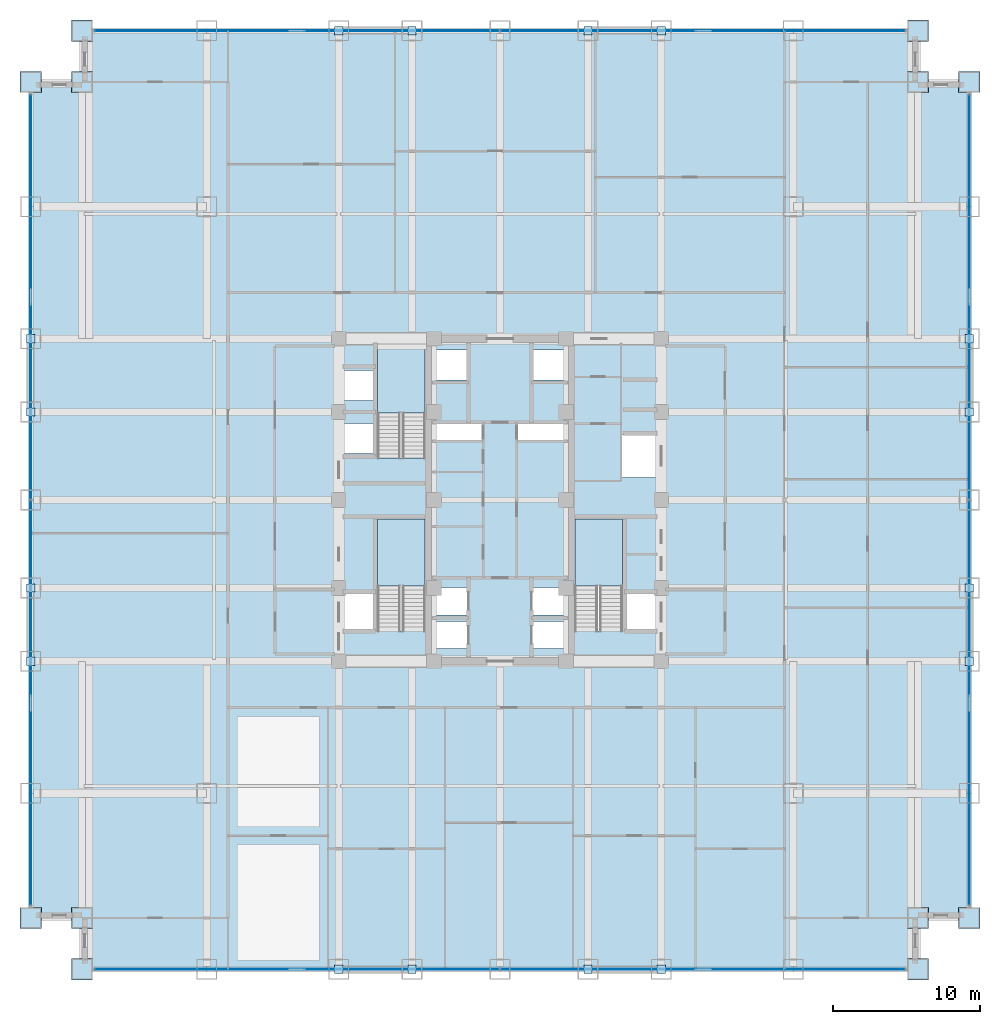
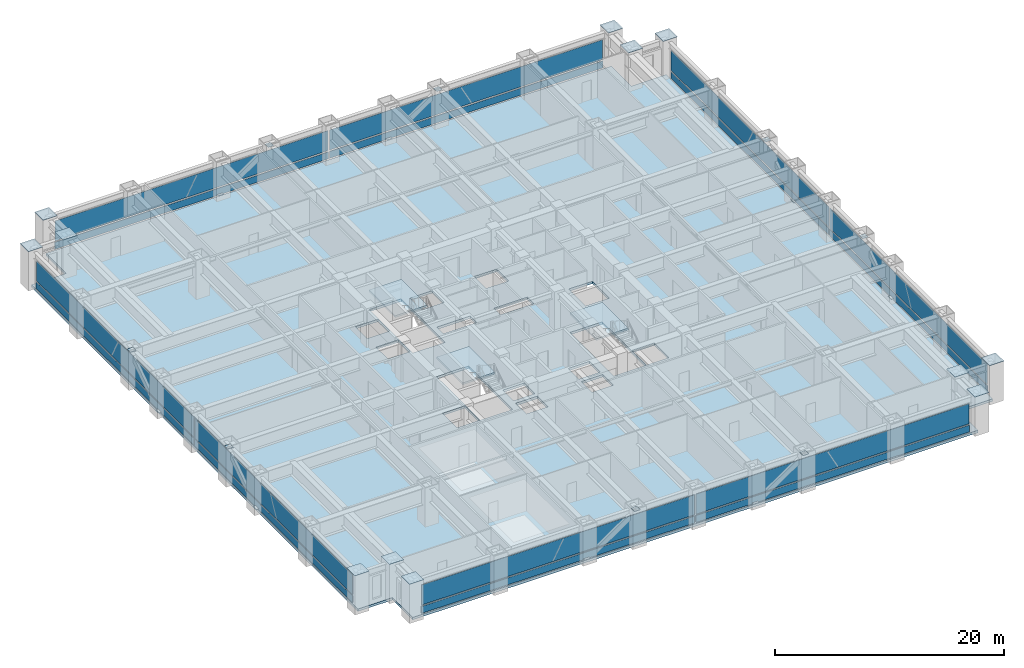
# One storey, part 22 of 29: 44 plates, 4 slabs, 7 elements without a shape of their own.
"""IFC4 building model written with IfcOpenShell, lengths in metres."""

from ifc_helpers import new_model, si_unit, direction, frame, origin, origin_2d, place, context, subcontext, project, spatial, polyline, rectangle, outline, extrude, source, transform, mapped, material, layer, layer_set, type_object, element, aggregate, save


model = new_model("IFC4")

# Units and contexts
model_context = context("Model", 3, precision=1e-05, world=origin(), true_north=direction((0.0, 1.0)))
body_context = subcontext(model_context, "Body", "Model", "MODEL_VIEW")
ifc_project = project(units=[si_unit("LENGTHUNIT", "METRE"), si_unit("AREAUNIT", "SQUARE_METRE"), si_unit("VOLUMEUNIT", "CUBIC_METRE"), si_unit("PLANEANGLEUNIT", "RADIAN"), si_unit("MASSUNIT", "GRAM", prefix="KILO")], contexts=[model_context])

# Site, building, storey
site_placement = place(None, origin())
site = spatial("IfcSite", under=ifc_project, at=site_placement, CompositionType="ELEMENT")
building_placement = place(site_placement, origin())
building = spatial("IfcBuilding", under=site, at=building_placement, Name="Khorayat Bourse Tower", CompositionType="ELEMENT")
storey_placement = place(building_placement, frame((0.0, 0.0, 87.199951171875)))
storey = spatial("IfcBuildingStorey", under=building, at=storey_placement, Name="L19", CompositionType="ELEMENT", Elevation=87.199951171875)

# Stair, slab
ifc_material_1 = material(Name="Concrete C40/50", Category="concrete")
stair_type = type_object("IfcStairType", Name="STR-CORE-1550", PredefinedType="HALF_TURN_STAIR", material=ifc_material_1)
stair_1_placement = place(storey_placement, origin())
stair_1 = element("IfcStair", 1, at=stair_1_placement, inside=storey, type_object=stair_type, Name="L19 Exit Stair ST-1", PredefinedType="HALF_TURN_STAIR")
ifc_layer_1 = layer(ifc_material_1, 0.199951171875)
ifc_layer_set_1 = layer_set([ifc_layer_1], Name="Concrete C40/50")
slab_type_1 = type_object("IfcSlabType", Name="SLB-LANDING-200", PredefinedType="LANDING", material=ifc_layer_set_1)
slab_1_placement = place(storey_placement, frame((0.0, 0.0, 1.900146484375)))
slab_1 = element("IfcSlab", 2, at=slab_1_placement, type_object=slab_type_1, Name="ST-1 landing 1", PredefinedType="LANDING", context=body_context, shape_type="SweptSolid", body=[
    extrude(outline(polyline([(-5.10009765625, -5.8701171875), (-5.10009765625, -1.300048828125), (-8.35009765625, -1.300048828125), (-8.35009765625, -5.8701171875), (-5.10009765625, -5.8701171875)])), origin(), (0.0, 0.0, 1.0), 0.199951171875),
])
aggregate(stair_1, [slab_1])

stair_2_placement = place(storey_placement, origin())
stair_2 = element("IfcStair", 3, at=stair_2_placement, inside=storey, type_object=stair_type, Name="L19 Exit Stair ST-2", PredefinedType="HALF_TURN_STAIR")
slab_2_placement = place(storey_placement, frame((0.0, 0.0, 1.900146484375)))
slab_2 = element("IfcSlab", 4, at=slab_2_placement, type_object=slab_type_1, Name="ST-2 landing 1", PredefinedType="LANDING", context=body_context, shape_type="SweptSolid", body=[
    extrude(outline(polyline([(-5.10009765625, 5.929931640625), (-5.10009765625, 10.5), (-8.35009765625, 10.5), (-8.35009765625, 5.929931640625), (-5.10009765625, 5.929931640625)])), origin(), (0.0, 0.0, 1.0), 0.199951171875),
])
aggregate(stair_2, [slab_2])

stair_3_placement = place(storey_placement, origin())
stair_3 = element("IfcStair", 5, at=stair_3_placement, inside=storey, type_object=stair_type, Name="L19 Exit Stair ST-3", PredefinedType="HALF_TURN_STAIR")
slab_3_placement = place(storey_placement, frame((0.0, 0.0, 1.900146484375)))
slab_3 = element("IfcSlab", 6, at=slab_3_placement, type_object=slab_type_1, Name="ST-3 landing 1", PredefinedType="LANDING", context=body_context, shape_type="SweptSolid", body=[
    extrude(outline(polyline([(8.35009765625, -5.8701171875), (8.35009765625, -1.300048828125), (5.10009765625, -1.300048828125), (5.10009765625, -5.8701171875), (8.35009765625, -5.8701171875)])), origin(), (0.0, 0.0, 1.0), 0.199951171875),
])
aggregate(stair_3, [slab_3])

# Slab
ifc_layer_2 = layer(ifc_material_1, 0.260009765625)
ifc_layer_set_2 = layer_set([ifc_layer_2], Name="Concrete C40/50")
slab_type_2 = type_object("IfcSlabType", Name="SLB-TRADE-260", PredefinedType="FLOOR", material=ifc_layer_set_2)
slab_4_placement = place(storey_placement, frame((0.0, 0.0, -0.260009765625)))
element("IfcSlab", 7, at=slab_4_placement, inside=storey, type_object=slab_type_2, Name="L19 Main Floor Slab", PredefinedType="FLOOR", context=body_context, shape_type="SweptSolid", body=[
    extrude(outline(polyline([(-28.5, -32.0), (28.5, -32.0), (28.5, -28.5), (32.0, -28.5), (32.0, 28.5), (28.5, 28.5), (28.5, 32.0), (-28.5, 32.0), (-28.5, 28.5), (-32.0, 28.5), (-32.0, -28.5), (-28.5, -28.5), (-28.5, -32.0)]), holes=[polyline([(-8.35009765625, -8.945068359375), (-5.10009765625, -8.945068359375), (-5.10009765625, -1.300048828125), (-8.35009765625, -1.300048828125), (-8.35009765625, -8.945068359375)]), polyline([(-8.35009765625, 2.85498046875), (-5.10009765625, 2.85498046875), (-5.10009765625, 10.5), (-8.35009765625, 10.5), (-8.35009765625, 2.85498046875)]), polyline([(5.10009765625, -8.945068359375), (8.35009765625, -8.945068359375), (8.35009765625, -1.300048828125), (5.10009765625, -1.300048828125), (5.10009765625, -8.945068359375)]), polyline([(-4.3798828125, -10.1298828125), (-2.219970703125, -10.1298828125), (-2.219970703125, -8.27001953125), (-4.3798828125, -8.27001953125), (-4.3798828125, -10.1298828125)]), polyline([(2.219970703125, -10.1298828125), (4.3798828125, -10.1298828125), (4.3798828125, -8.27001953125), (2.219970703125, -8.27001953125), (2.219970703125, -10.1298828125)]), polyline([(-4.3798828125, -7.830078125), (-2.219970703125, -7.830078125), (-2.219970703125, -5.969970703125), (-4.3798828125, -5.969970703125), (-4.3798828125, -7.830078125)]), polyline([(2.219970703125, -7.830078125), (4.3798828125, -7.830078125), (4.3798828125, -5.969970703125), (2.219970703125, -5.969970703125), (2.219970703125, -7.830078125)]), polyline([(-4.3798828125, 8.169921875), (-2.1201171875, 8.169921875), (-2.1201171875, 10.22998046875), (-4.3798828125, 10.22998046875), (-4.3798828125, 8.169921875)]), polyline([(2.1201171875, 8.169921875), (4.3798828125, 8.169921875), (4.3798828125, 10.22998046875), (2.1201171875, 10.22998046875), (2.1201171875, 8.169921875)]), polyline([(-10.679931640625, 3.169921875), (-8.419921875, 3.169921875), (-8.419921875, 5.22998046875), (-10.679931640625, 5.22998046875), (-10.679931640625, 3.169921875)]), polyline([(-10.679931640625, 6.77001953125), (-8.419921875, 6.77001953125), (-8.419921875, 8.830078125), (-10.679931640625, 8.830078125), (-10.679931640625, 6.77001953125)]), polyline([(-10.679931640625, -8.929931640625), (-8.419921875, -8.929931640625), (-8.419921875, -6.3701171875), (-10.679931640625, -6.3701171875), (-10.679931640625, -8.929931640625)]), polyline([(8.419921875, -8.929931640625), (10.679931640625, -8.929931640625), (10.679931640625, -6.3701171875), (8.419921875, -6.3701171875), (8.419921875, -8.929931640625)]), polyline([(8.320068359375, 1.52001953125), (10.679931640625, 1.52001953125), (10.679931640625, 4.47998046875), (8.320068359375, 4.47998046875), (8.320068359375, 1.52001953125)]), polyline([(-4.56005859375, 4.080078125), (-1.18994140625, 4.080078125), (-1.18994140625, 5.219970703125), (-4.56005859375, 5.219970703125), (-4.56005859375, 4.080078125)]), polyline([(1.18994140625, 4.080078125), (4.56005859375, 4.080078125), (4.56005859375, 5.219970703125), (1.18994140625, 5.219970703125), (1.18994140625, 4.080078125)])]), origin(), (0.0, 0.0, 1.0), 0.260009765625),
])

# Plates
ifc_material_2 = material(Name="Steel EN 10025-2 S355J2", Category="steel")
ifc_layer_3 = layer(ifc_material_2, 0.02490234375)
ifc_layer_set_3 = layer_set([ifc_layer_3], Name="Steel EN 10025-2 S355J2")
plate_type_1 = type_object("IfcPlateType", Name="PLT-ENDCAP-25", PredefinedType="SHEET", material=ifc_layer_set_3)
shared_shape_1 = source(origin(), body_context, "Body", "SweptSolid", [
    extrude(rectangle(XDim=0.56005859375, YDim=0.56005859375, at=origin_2d()), origin(), (0.0, 0.0, 1.0), 0.02490234375),
])
for number, where, z_axis, x_axis, name in (
    (8, (-11.0, -32.0, 0.237548828125), (0.0, 0.0, 1.0), (1.0, 0.0, 0.0), "L19 Perimeter Brace End Plate 001"),
    (9, (-6.0, -32.0, 3.677490234375), (0.0, 0.0, 1.0), (1.0, 0.0, 0.0), "L19 Perimeter Brace End Plate 002"),
    (10, (6.0, -32.0, 0.237548828125), (0.0, 0.0, 1.0), (1.0, 0.0, 0.0), "L19 Perimeter Brace End Plate 003"),
    (11, (11.0, -32.0, 3.677490234375), (0.0, 0.0, 1.0), (1.0, 0.0, 0.0), "L19 Perimeter Brace End Plate 004"),
    (12, (-11.0, 32.0, 0.237548828125), (0.0, 0.0, 1.0), (1.0, 0.0, 0.0), "L19 Perimeter Brace End Plate 005"),
    (13, (-6.0, 32.0, 3.677490234375), (0.0, 0.0, 1.0), (1.0, 0.0, 0.0), "L19 Perimeter Brace End Plate 006"),
    (14, (6.0, 32.0, 0.237548828125), (0.0, 0.0, 1.0), (1.0, 0.0, 0.0), "L19 Perimeter Brace End Plate 007"),
    (15, (11.0, 32.0, 3.677490234375), (0.0, 0.0, 1.0), (1.0, 0.0, 0.0), "L19 Perimeter Brace End Plate 008"),
    (16, (-32.0, -11.0, 0.237548828125), (0.0, 0.0, 1.0), (1.0, 0.0, 0.0), "L19 Perimeter Brace End Plate 009"),
    (17, (-32.0, -6.0, 3.677490234375), (0.0, 0.0, 1.0), (1.0, 0.0, 0.0), "L19 Perimeter Brace End Plate 010"),
    (18, (-32.0, 6.0, 0.237548828125), (0.0, 0.0, 1.0), (1.0, 0.0, 0.0), "L19 Perimeter Brace End Plate 011"),
    (19, (-32.0, 11.0, 3.677490234375), (0.0, 0.0, 1.0), (1.0, 0.0, 0.0), "L19 Perimeter Brace End Plate 012"),
    (20, (32.0, -11.0, 0.237548828125), (0.0, 0.0, 1.0), (1.0, 0.0, 0.0), "L19 Perimeter Brace End Plate 013"),
    (21, (32.0, -6.0, 3.677490234375), (0.0, 0.0, 1.0), (1.0, 0.0, 0.0), "L19 Perimeter Brace End Plate 014"),
    (22, (32.0, 6.0, 0.237548828125), (0.0, 0.0, 1.0), (1.0, 0.0, 0.0), "L19 Perimeter Brace End Plate 015"),
    (23, (32.0, 11.0, 3.677490234375), (0.0, 0.0, 1.0), (1.0, 0.0, 0.0), "L19 Perimeter Brace End Plate 016"),
):
    element("IfcPlate", number, at=place(storey_placement, frame(where, z_axis=z_axis, x_axis=x_axis)), inside=storey, type_object=plate_type_1, Name=name, PredefinedType="SHEET", context=body_context, shape_type="MappedRepresentation", body=[
        mapped(shared_shape_1, transform((0.0, 0.0, 0.0), scale=1.0)),
    ])
shared_shape_2 = source(origin(), body_context, "Body", "SweptSolid", [
    extrude(rectangle(XDim=1.4599609375, YDim=1.4599609375, at=origin_2d()), origin(), (0.0, 0.0, 1.0), 0.02490234375),
])
for number, where, z_axis, x_axis, name in (
    (24, (-32.0, -28.5, 4.2001953125), (0.0, 0.0, 1.0), (1.0, 0.0, 0.0), "L19 Column Top Endcap Plate 001"),
    (25, (-32.0, 28.5, 4.2001953125), (0.0, 0.0, 1.0), (1.0, 0.0, 0.0), "L19 Column Top Endcap Plate 009"),
    (26, (-28.5, -32.0, 4.2001953125), (0.0, 0.0, 1.0), (1.0, 0.0, 0.0), "L19 Column Top Endcap Plate 010"),
    (27, (-28.5, -28.5, 4.2001953125), (0.0, 0.0, 1.0), (1.0, 0.0, 0.0), "L19 Column Top Endcap Plate 011"),
    (28, (-28.5, 28.5, 4.2001953125), (0.0, 0.0, 1.0), (1.0, 0.0, 0.0), "L19 Column Top Endcap Plate 012"),
    (29, (-28.5, 32.0, 4.2001953125), (0.0, 0.0, 1.0), (1.0, 0.0, 0.0), "L19 Column Top Endcap Plate 013"),
    (30, (28.5, -32.0, 4.2001953125), (0.0, 0.0, 1.0), (1.0, 0.0, 0.0), "L19 Column Top Endcap Plate 052"),
    (31, (28.5, -28.5, 4.2001953125), (0.0, 0.0, 1.0), (1.0, 0.0, 0.0), "L19 Column Top Endcap Plate 053"),
    (32, (28.5, 28.5, 4.2001953125), (0.0, 0.0, 1.0), (1.0, 0.0, 0.0), "L19 Column Top Endcap Plate 054"),
    (33, (28.5, 32.0, 4.2001953125), (0.0, 0.0, 1.0), (1.0, 0.0, 0.0), "L19 Column Top Endcap Plate 055"),
    (34, (32.0, -28.5, 4.2001953125), (0.0, 0.0, 1.0), (1.0, 0.0, 0.0), "L19 Column Top Endcap Plate 056"),
    (35, (32.0, 28.5, 4.2001953125), (0.0, 0.0, 1.0), (1.0, 0.0, 0.0), "L19 Column Top Endcap Plate 064"),
):
    element("IfcPlate", number, at=place(storey_placement, frame(where, z_axis=z_axis, x_axis=x_axis)), inside=storey, type_object=plate_type_1, Name=name, PredefinedType="SHEET", context=body_context, shape_type="MappedRepresentation", body=[
        mapped(shared_shape_2, transform((0.0, 0.0, 0.0), scale=1.0)),
    ])

# Curtain wall, plates
ifc_material_3 = material(Name="Aluminium EN AW-6063 T6", Category="aluminium")
curtain_wall_type = type_object("IfcCurtainWallType", Name="CW-SYS-02", PredefinedType="NOTDEFINED", material=ifc_material_3)
curtain_wall_1_placement = place(storey_placement, origin())
curtain_wall_1 = element("IfcCurtainWall", 36, at=curtain_wall_1_placement, inside=storey, type_object=curtain_wall_type, Name="L19 Curtain Wall CW-L19-S1", PredefinedType="NOTDEFINED")
ifc_material_4 = material(Name="Honed desert limestone insulated spandrel", Category="masonry")
ifc_layer_4 = layer(ifc_material_4, 0.06494140625)
ifc_layer_set_4 = layer_set([ifc_layer_4], Name="Honed desert limestone insulated spandrel")
plate_type_2 = type_object("IfcPlateType", Name="CWP-SPAND-03", PredefinedType="CURTAIN_PANEL", material=ifc_layer_set_4)
shared_shape_3 = source(origin(), body_context, "Body", "SweptSolid", [
    extrude(rectangle(XDim=27.5400390625, YDim=0.06494140625, at=origin_2d()), origin(), (0.0, 0.0, 1.0), 0.739990234375),
])
plate_1_placement = place(storey_placement, frame((-13.840087890625, -32.0, 0.14013671875), z_axis=(0.0, 0.0, 1.0), x_axis=(1.0, 0.0, 0.0)))
plate_1 = element("IfcPlate", 37, at=plate_1_placement, type_object=plate_type_2, Name="CW-L19-S1 Spandrel Panel 1-1", PredefinedType="CURTAIN_PANEL", context=body_context, shape_type="MappedRepresentation", body=[
    mapped(shared_shape_3, transform((0.0, 0.0, 0.0), scale=1.0)),
])
plate_2_placement = place(storey_placement, frame((13.840087890625, -32.0, 0.14013671875), z_axis=(0.0, 0.0, 1.0), x_axis=(1.0, 0.0, 0.0)))
plate_2 = element("IfcPlate", 38, at=plate_2_placement, type_object=plate_type_2, Name="CW-L19-S1 Spandrel Panel 2-1", PredefinedType="CURTAIN_PANEL", context=body_context, shape_type="MappedRepresentation", body=[
    mapped(shared_shape_3, transform((0.0, 0.0, 0.0), scale=1.0)),
])

curtain_wall_2_placement = place(storey_placement, origin())
curtain_wall_2 = element("IfcCurtainWall", 39, at=curtain_wall_2_placement, inside=storey, type_object=curtain_wall_type, Name="L19 Curtain Wall CW-L19-N1", PredefinedType="NOTDEFINED")
plate_3_placement = place(storey_placement, frame((-13.840087890625, 32.0, 0.14013671875), z_axis=(0.0, 0.0, 1.0), x_axis=(1.0, 0.0, 0.0)))
plate_3 = element("IfcPlate", 40, at=plate_3_placement, type_object=plate_type_2, Name="CW-L19-N1 Spandrel Panel 1-1", PredefinedType="CURTAIN_PANEL", context=body_context, shape_type="MappedRepresentation", body=[
    mapped(shared_shape_3, transform((0.0, 0.0, 0.0), scale=1.0)),
])
plate_4_placement = place(storey_placement, frame((13.840087890625, 32.0, 0.14013671875), z_axis=(0.0, 0.0, 1.0), x_axis=(1.0, 0.0, 0.0)))
plate_4 = element("IfcPlate", 41, at=plate_4_placement, type_object=plate_type_2, Name="CW-L19-N1 Spandrel Panel 2-1", PredefinedType="CURTAIN_PANEL", context=body_context, shape_type="MappedRepresentation", body=[
    mapped(shared_shape_3, transform((0.0, 0.0, 0.0), scale=1.0)),
])

curtain_wall_3_placement = place(storey_placement, origin())
curtain_wall_3 = element("IfcCurtainWall", 42, at=curtain_wall_3_placement, inside=storey, type_object=curtain_wall_type, Name="L19 Curtain Wall CW-L19-W1", PredefinedType="NOTDEFINED")
plate_5_placement = place(storey_placement, frame((-32.0, -13.840087890625, 0.14013671875), z_axis=(0.0, 0.0, 1.0), x_axis=(0.0, 1.0, 0.0)))
plate_5 = element("IfcPlate", 43, at=plate_5_placement, type_object=plate_type_2, Name="CW-L19-W1 Spandrel Panel 1-1", PredefinedType="CURTAIN_PANEL", context=body_context, shape_type="MappedRepresentation", body=[
    mapped(shared_shape_3, transform((0.0, 0.0, 0.0), scale=1.0)),
])
plate_6_placement = place(storey_placement, frame((-32.0, 13.840087890625, 0.14013671875), z_axis=(0.0, 0.0, 1.0), x_axis=(0.0, 1.0, 0.0)))
plate_6 = element("IfcPlate", 44, at=plate_6_placement, type_object=plate_type_2, Name="CW-L19-W1 Spandrel Panel 2-1", PredefinedType="CURTAIN_PANEL", context=body_context, shape_type="MappedRepresentation", body=[
    mapped(shared_shape_3, transform((0.0, 0.0, 0.0), scale=1.0)),
])

curtain_wall_4_placement = place(storey_placement, origin())
curtain_wall_4 = element("IfcCurtainWall", 45, at=curtain_wall_4_placement, inside=storey, type_object=curtain_wall_type, Name="L19 Curtain Wall CW-L19-E1", PredefinedType="NOTDEFINED")
plate_7_placement = place(storey_placement, frame((32.0, -13.840087890625, 0.14013671875), z_axis=(0.0, 0.0, 1.0), x_axis=(0.0, 1.0, 0.0)))
plate_7 = element("IfcPlate", 46, at=plate_7_placement, type_object=plate_type_2, Name="CW-L19-E1 Spandrel Panel 1-1", PredefinedType="CURTAIN_PANEL", context=body_context, shape_type="MappedRepresentation", body=[
    mapped(shared_shape_3, transform((0.0, 0.0, 0.0), scale=1.0)),
])
plate_8_placement = place(storey_placement, frame((32.0, 13.840087890625, 0.14013671875), z_axis=(0.0, 0.0, 1.0), x_axis=(0.0, 1.0, 0.0)))
plate_8 = element("IfcPlate", 47, at=plate_8_placement, type_object=plate_type_2, Name="CW-L19-E1 Spandrel Panel 2-1", PredefinedType="CURTAIN_PANEL", context=body_context, shape_type="MappedRepresentation", body=[
    mapped(shared_shape_3, transform((0.0, 0.0, 0.0), scale=1.0)),
])

# Plate
ifc_material_5 = material(Name="Low-E solar-control laminated double glazing", Category="glass")
ifc_layer_5 = layer(ifc_material_5, 0.0419921875)
ifc_layer_set_5 = layer_set([ifc_layer_5], Name="Low-E solar-control laminated double glazing")
plate_type_3 = type_object("IfcPlateType", Name="CWP-FACET-02", PredefinedType="CURTAIN_PANEL", material=ifc_layer_set_5)
shared_shape_4 = source(origin(), body_context, "Body", "SweptSolid", [
    extrude(rectangle(XDim=27.5400390625, YDim=0.0419921875, at=origin_2d()), origin(), (0.0, 0.0, 1.0), 2.1298828125),
])
plate_9_placement = place(storey_placement, frame((-13.840087890625, -32.0, 1.02001953125), z_axis=(0.0, 0.0, 1.0), x_axis=(1.0, 0.0, 0.0)))
plate_9 = element("IfcPlate", 48, at=plate_9_placement, type_object=plate_type_3, Name="CW-L19-S1 Vision Panel 1-2", PredefinedType="CURTAIN_PANEL", context=body_context, shape_type="MappedRepresentation", body=[
    mapped(shared_shape_4, transform((0.0, 0.0, 0.0), scale=1.0)),
])

plate_10_placement = place(storey_placement, frame((13.840087890625, -32.0, 1.02001953125), z_axis=(0.0, 0.0, 1.0), x_axis=(1.0, 0.0, 0.0)))
plate_10 = element("IfcPlate", 49, at=plate_10_placement, type_object=plate_type_3, Name="CW-L19-S1 Vision Panel 2-2", PredefinedType="CURTAIN_PANEL", context=body_context, shape_type="MappedRepresentation", body=[
    mapped(shared_shape_4, transform((0.0, 0.0, 0.0), scale=1.0)),
])

aggregate(curtain_wall_1, [plate_1, plate_9, plate_2, plate_10])

plate_11_placement = place(storey_placement, frame((-13.840087890625, 32.0, 1.02001953125), z_axis=(0.0, 0.0, 1.0), x_axis=(1.0, 0.0, 0.0)))
plate_11 = element("IfcPlate", 50, at=plate_11_placement, type_object=plate_type_3, Name="CW-L19-N1 Vision Panel 1-2", PredefinedType="CURTAIN_PANEL", context=body_context, shape_type="MappedRepresentation", body=[
    mapped(shared_shape_4, transform((0.0, 0.0, 0.0), scale=1.0)),
])

plate_12_placement = place(storey_placement, frame((13.840087890625, 32.0, 1.02001953125), z_axis=(0.0, 0.0, 1.0), x_axis=(1.0, 0.0, 0.0)))
plate_12 = element("IfcPlate", 51, at=plate_12_placement, type_object=plate_type_3, Name="CW-L19-N1 Vision Panel 2-2", PredefinedType="CURTAIN_PANEL", context=body_context, shape_type="MappedRepresentation", body=[
    mapped(shared_shape_4, transform((0.0, 0.0, 0.0), scale=1.0)),
])

aggregate(curtain_wall_2, [plate_3, plate_11, plate_4, plate_12])

plate_13_placement = place(storey_placement, frame((-32.0, -13.840087890625, 1.02001953125), z_axis=(0.0, 0.0, 1.0), x_axis=(0.0, 1.0, 0.0)))
plate_13 = element("IfcPlate", 52, at=plate_13_placement, type_object=plate_type_3, Name="CW-L19-W1 Vision Panel 1-2", PredefinedType="CURTAIN_PANEL", context=body_context, shape_type="MappedRepresentation", body=[
    mapped(shared_shape_4, transform((0.0, 0.0, 0.0), scale=1.0)),
])

plate_14_placement = place(storey_placement, frame((-32.0, 13.840087890625, 1.02001953125), z_axis=(0.0, 0.0, 1.0), x_axis=(0.0, 1.0, 0.0)))
plate_14 = element("IfcPlate", 53, at=plate_14_placement, type_object=plate_type_3, Name="CW-L19-W1 Vision Panel 2-2", PredefinedType="CURTAIN_PANEL", context=body_context, shape_type="MappedRepresentation", body=[
    mapped(shared_shape_4, transform((0.0, 0.0, 0.0), scale=1.0)),
])

aggregate(curtain_wall_3, [plate_5, plate_13, plate_6, plate_14])

plate_15_placement = place(storey_placement, frame((32.0, -13.840087890625, 1.02001953125), z_axis=(0.0, 0.0, 1.0), x_axis=(0.0, 1.0, 0.0)))
plate_15 = element("IfcPlate", 54, at=plate_15_placement, type_object=plate_type_3, Name="CW-L19-E1 Vision Panel 1-2", PredefinedType="CURTAIN_PANEL", context=body_context, shape_type="MappedRepresentation", body=[
    mapped(shared_shape_4, transform((0.0, 0.0, 0.0), scale=1.0)),
])

plate_16_placement = place(storey_placement, frame((32.0, 13.840087890625, 1.02001953125), z_axis=(0.0, 0.0, 1.0), x_axis=(0.0, 1.0, 0.0)))
plate_16 = element("IfcPlate", 55, at=plate_16_placement, type_object=plate_type_3, Name="CW-L19-E1 Vision Panel 2-2", PredefinedType="CURTAIN_PANEL", context=body_context, shape_type="MappedRepresentation", body=[
    mapped(shared_shape_4, transform((0.0, 0.0, 0.0), scale=1.0)),
])

aggregate(curtain_wall_4, [plate_7, plate_15, plate_8, plate_16])

save(model, "model.ifc")
